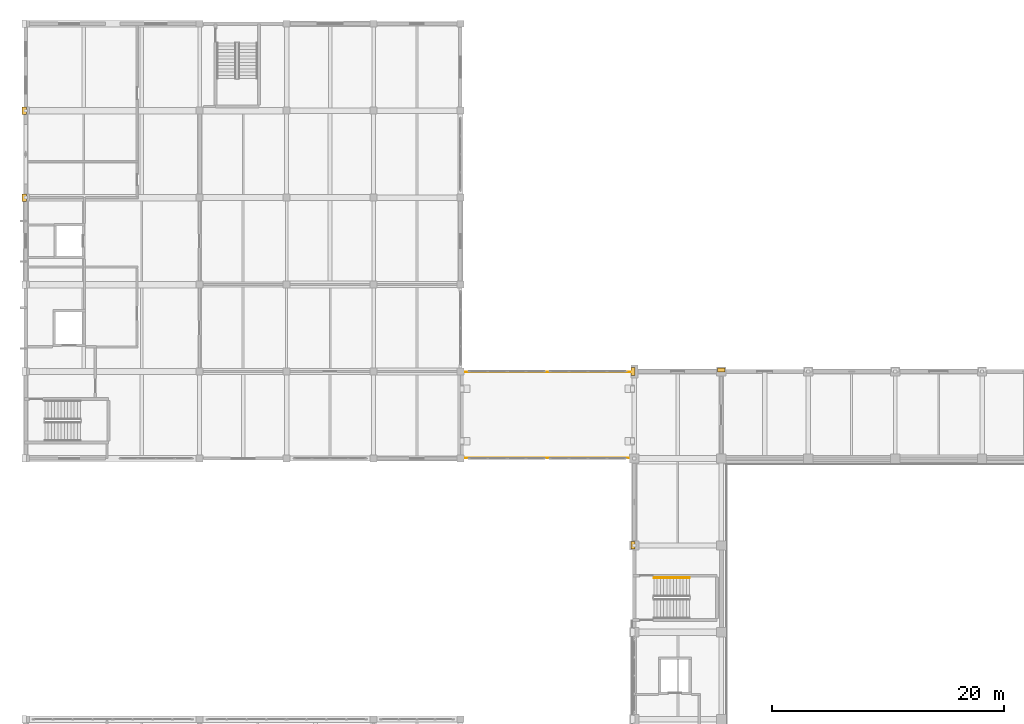
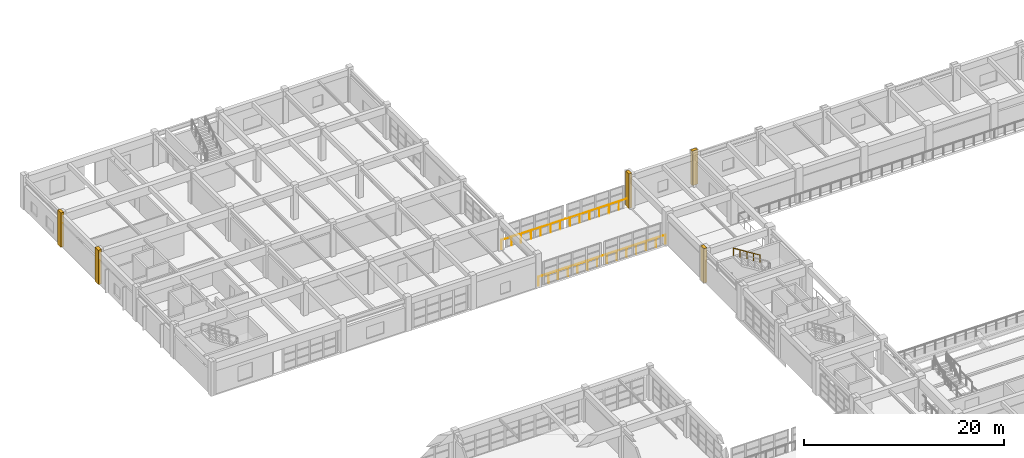
# One storey, part 120 of 124: 5 coverings, 3 railings.
"""IFC4 building model written with IfcOpenShell, lengths in metres."""

from ifc_helpers import new_model, si_unit, direction, frame, origin, origin_2d, place, context, subcontext, project, spatial, rectangle, circle, extrude, material, layer, layer_set, type_object, element, save


model = new_model("IFC4")

# Units and contexts
model_context = context("Model", 3, precision=1e-05, world=origin(), true_north=direction((0.0, 1.0)))
body_context = subcontext(model_context, "Body", "Model", "MODEL_VIEW")
ifc_project = project(units=[si_unit("LENGTHUNIT", "METRE"), si_unit("AREAUNIT", "SQUARE_METRE"), si_unit("VOLUMEUNIT", "CUBIC_METRE"), si_unit("PLANEANGLEUNIT", "RADIAN"), si_unit("MASSUNIT", "GRAM", prefix="KILO")], contexts=[model_context])

# Site, building, storey
site_placement = place(None, origin())
site = spatial("IfcSite", under=ifc_project, at=site_placement, CompositionType="ELEMENT")
building_placement = place(site_placement, origin())
building = spatial("IfcBuilding", under=site, at=building_placement, Name="Qasida Concert Hall", CompositionType="ELEMENT")
storey_placement = place(building_placement, frame((0.0, 0.0, 9.0)))
storey = spatial("IfcBuildingStorey", under=building, at=storey_placement, Name="L02", CompositionType="ELEMENT", Elevation=9.0)

# Coverings
ifc_material_1 = material(Name="Projecting fluted Lebanese limestone Art Deco pilaster", Category="masonry")
ifc_layer_1 = layer(ifc_material_1, 0.35009765625, Name="Projecting fluted Lebanese limestone Art Deco pilaster")
ifc_layer_set_1 = layer_set([ifc_layer_1], Name="Projecting fluted Lebanese limestone Art Deco pilaster")
covering_type = type_object("IfcCoveringType", Name="CV-PIL-650", PredefinedType="CLADDING", material=ifc_layer_set_1)
for number, where, z_axis, x_axis, name in (
    (1, (52.364990234375, 67.5, 0.0), (0.0, 0.0, 1.0), (1.0, 0.0, 0.0), "L02 fluted limestone pilaster 0073"),
    (2, (52.364990234375, 82.5, 0.0), (0.0, 0.0, 1.0), (1.0, 0.0, 0.0), "L02 fluted limestone pilaster 0087"),
):
    element("IfcCovering", number, at=place(storey_placement, frame(where, z_axis=z_axis, x_axis=x_axis)), inside=storey, type_object=covering_type, Name=name, PredefinedType="CLADDING", context=body_context, shape_type="SweptSolid", body=[
        extrude(rectangle(XDim=0.35009765625, YDim=0.64990234375, at=origin_2d()), origin(), (0.0, 0.0, 1.0), 4.199951171875),
    ])
covering_placement = place(storey_placement, frame((60.0, 82.635009765625, 0.0), z_axis=(0.0, 0.0, 1.0), x_axis=(1.0, 0.0, 0.0)))
element("IfcCovering", 3, at=covering_placement, inside=storey, type_object=covering_type, Name="L02 fluted limestone pilaster 0101", PredefinedType="CLADDING", context=body_context, shape_type="SweptSolid", body=[
    extrude(rectangle(XDim=0.64990234375, YDim=0.35009765625, at=origin_2d()), origin(), (0.0, 0.0, 1.0), 4.199951171875),
])
for number, where, z_axis, x_axis, name in (
    (4, (-0.135009765625, 97.5, 0.0), (0.0, 0.0, 1.0), (1.0, 0.0, 0.0), "L02 fluted limestone pilaster 0288"),
    (5, (-0.135009765625, 105.0, 0.0), (0.0, 0.0, 1.0), (1.0, 0.0, 0.0), "L02 fluted limestone pilaster 0295"),
):
    element("IfcCovering", number, at=place(storey_placement, frame(where, z_axis=z_axis, x_axis=x_axis)), inside=storey, type_object=covering_type, Name=name, PredefinedType="CLADDING", context=body_context, shape_type="SweptSolid", body=[
        extrude(rectangle(XDim=0.35009765625, YDim=0.64990234375, at=origin_2d()), origin(), (0.0, 0.0, 1.0), 4.199951171875),
    ])

# Railings
ifc_material_2 = material(Name="Patinated architectural bronze and laminated glass infill", Category="glass")
ifc_layer_2 = layer(ifc_material_2, 0.080078125, Name="Patinated architectural bronze and laminated glass infill")
ifc_layer_set_2 = layer_set([ifc_layer_2], Name="Patinated architectural bronze and laminated glass infill")
railing_type_1 = type_object("IfcRailingType", Name="RL-GRD-1100", PredefinedType="GUARDRAIL", material=ifc_layer_set_2)
railing_1_placement = place(storey_placement, frame((37.679931640625, 75.050048828125, 0.0)))
element("IfcRailing", 6, at=railing_1_placement, inside=storey, type_object=railing_type_1, Name="L02 Artist bridge south guard 0032", PredefinedType="GUARDRAIL", context=body_context, shape_type="SweptSolid", body=[
    extrude(circle(Radius=0.02392578125, at=origin_2d()), frame((0.0, 0.0, 1.09619140625), z_axis=(1.0, 0.0, 0.0), x_axis=(0.0, 1.0, 0.0)), (0.0, 0.0, 1.0), 14.64013671875),
    extrude(circle(Radius=0.02099609375, at=origin_2d()), origin(), (0.0, 0.0, 1.0), 1.072021484375),
    extrude(circle(Radius=0.02099609375, at=origin_2d()), frame((1.126220703125, 0.0, 0.0)), (0.0, 0.0, 1.0), 1.072021484375),
    extrude(circle(Radius=0.02099609375, at=origin_2d()), frame((2.25244140625, 0.0, 0.0)), (0.0, 0.0, 1.0), 1.072021484375),
    extrude(circle(Radius=0.02099609375, at=origin_2d()), frame((3.37841796875, 0.0, 0.0)), (0.0, 0.0, 1.0), 1.072021484375),
    extrude(circle(Radius=0.02099609375, at=origin_2d()), frame((4.504638671875, 0.0, 0.0)), (0.0, 0.0, 1.0), 1.072021484375),
    extrude(circle(Radius=0.02099609375, at=origin_2d()), frame((5.630859375, 0.0, 0.0)), (0.0, 0.0, 1.0), 1.072021484375),
    extrude(circle(Radius=0.02099609375, at=origin_2d()), frame((6.757080078125, 0.0, 0.0)), (0.0, 0.0, 1.0), 1.072021484375),
    extrude(circle(Radius=0.02099609375, at=origin_2d()), frame((7.883056640625, 0.0, 0.0)), (0.0, 0.0, 1.0), 1.072021484375),
    extrude(circle(Radius=0.02099609375, at=origin_2d()), frame((9.00927734375, 0.0, 0.0)), (0.0, 0.0, 1.0), 1.072021484375),
    extrude(circle(Radius=0.02099609375, at=origin_2d()), frame((10.135498046875, 0.0, 0.0)), (0.0, 0.0, 1.0), 1.072021484375),
    extrude(circle(Radius=0.02099609375, at=origin_2d()), frame((11.26171875, 0.0, 0.0)), (0.0, 0.0, 1.0), 1.072021484375),
    extrude(circle(Radius=0.02099609375, at=origin_2d()), frame((12.3876953125, 0.0, 0.0)), (0.0, 0.0, 1.0), 1.072021484375),
    extrude(circle(Radius=0.02099609375, at=origin_2d()), frame((13.513916015625, 0.0, 0.0)), (0.0, 0.0, 1.0), 1.072021484375),
    extrude(circle(Radius=0.02099609375, at=origin_2d()), frame((14.64013671875, 0.0, 0.0)), (0.0, 0.0, 1.0), 1.072021484375),
])
railing_2_placement = place(storey_placement, frame((37.679931640625, 82.449951171875, 0.0)))
element("IfcRailing", 7, at=railing_2_placement, inside=storey, type_object=railing_type_1, Name="L02 Artist bridge north guard 0033", PredefinedType="GUARDRAIL", context=body_context, shape_type="SweptSolid", body=[
    extrude(circle(Radius=0.02392578125, at=origin_2d()), frame((0.0, 0.0, 1.09619140625), z_axis=(1.0, 0.0, 0.0), x_axis=(0.0, 1.0, 0.0)), (0.0, 0.0, 1.0), 14.64013671875),
    extrude(circle(Radius=0.02099609375, at=origin_2d()), origin(), (0.0, 0.0, 1.0), 1.072021484375),
    extrude(circle(Radius=0.02099609375, at=origin_2d()), frame((1.126220703125, 0.0, 0.0)), (0.0, 0.0, 1.0), 1.072021484375),
    extrude(circle(Radius=0.02099609375, at=origin_2d()), frame((2.25244140625, 0.0, 0.0)), (0.0, 0.0, 1.0), 1.072021484375),
    extrude(circle(Radius=0.02099609375, at=origin_2d()), frame((3.37841796875, 0.0, 0.0)), (0.0, 0.0, 1.0), 1.072021484375),
    extrude(circle(Radius=0.02099609375, at=origin_2d()), frame((4.504638671875, 0.0, 0.0)), (0.0, 0.0, 1.0), 1.072021484375),
    extrude(circle(Radius=0.02099609375, at=origin_2d()), frame((5.630859375, 0.0, 0.0)), (0.0, 0.0, 1.0), 1.072021484375),
    extrude(circle(Radius=0.02099609375, at=origin_2d()), frame((6.757080078125, 0.0, 0.0)), (0.0, 0.0, 1.0), 1.072021484375),
    extrude(circle(Radius=0.02099609375, at=origin_2d()), frame((7.883056640625, 0.0, 0.0)), (0.0, 0.0, 1.0), 1.072021484375),
    extrude(circle(Radius=0.02099609375, at=origin_2d()), frame((9.00927734375, 0.0, 0.0)), (0.0, 0.0, 1.0), 1.072021484375),
    extrude(circle(Radius=0.02099609375, at=origin_2d()), frame((10.135498046875, 0.0, 0.0)), (0.0, 0.0, 1.0), 1.072021484375),
    extrude(circle(Radius=0.02099609375, at=origin_2d()), frame((11.26171875, 0.0, 0.0)), (0.0, 0.0, 1.0), 1.072021484375),
    extrude(circle(Radius=0.02099609375, at=origin_2d()), frame((12.3876953125, 0.0, 0.0)), (0.0, 0.0, 1.0), 1.072021484375),
    extrude(circle(Radius=0.02099609375, at=origin_2d()), frame((13.513916015625, 0.0, 0.0)), (0.0, 0.0, 1.0), 1.072021484375),
    extrude(circle(Radius=0.02099609375, at=origin_2d()), frame((14.64013671875, 0.0, 0.0)), (0.0, 0.0, 1.0), 1.072021484375),
])
ifc_material_3 = material(Name="Patinated tubular architectural bronze", Category="steel")
ifc_layer_3 = layer(ifc_material_3, 0.050048828125, Name="Patinated tubular architectural bronze")
ifc_layer_set_3 = layer_set([ifc_layer_3], Name="Patinated tubular architectural bronze")
railing_type_2 = type_object("IfcRailingType", Name="RL-HND-900", PredefinedType="HANDRAIL", material=ifc_layer_set_3)
railing_3_placement = place(storey_placement, frame((57.260009765625, 64.7099609375, 2.27490234375)))
element("IfcRailing", 8, at=railing_3_placement, inside=storey, type_object=railing_type_2, Name="L02 ST-11 stair handrail 2", PredefinedType="HANDRAIL", context=body_context, shape_type="SweptSolid", body=[
    extrude(circle(Radius=0.02392578125, at=origin_2d()), frame((0.0, 0.0, 0.8759765625), z_axis=(-0.847998304005, 0.0, 0.529998940003), x_axis=(0.0, -1.0, 0.0)), (0.0, 0.0, 1.0), 3.632080078125),
    extrude(circle(Radius=0.02099609375, at=origin_2d()), origin(), (0.0, 0.0, 1.0), 0.851806640625),
    extrude(circle(Radius=0.02099609375, at=origin_2d()), frame((-0.77001953125, 0.0, 0.481201171875)), (0.0, 0.0, 1.0), 0.851806640625),
    extrude(circle(Radius=0.02099609375, at=origin_2d()), frame((-1.5400390625, 0.0, 0.96240234375)), (0.0, 0.0, 1.0), 0.851806640625),
    extrude(circle(Radius=0.02099609375, at=origin_2d()), frame((-2.31005859375, 0.0, 1.44384765625)), (0.0, 0.0, 1.0), 0.851806640625),
    extrude(circle(Radius=0.02099609375, at=origin_2d()), frame((-3.080078125, 0.0, 1.925048828125)), (0.0, 0.0, 1.0), 0.851806640625),
])

save(model, "model.ifc")
